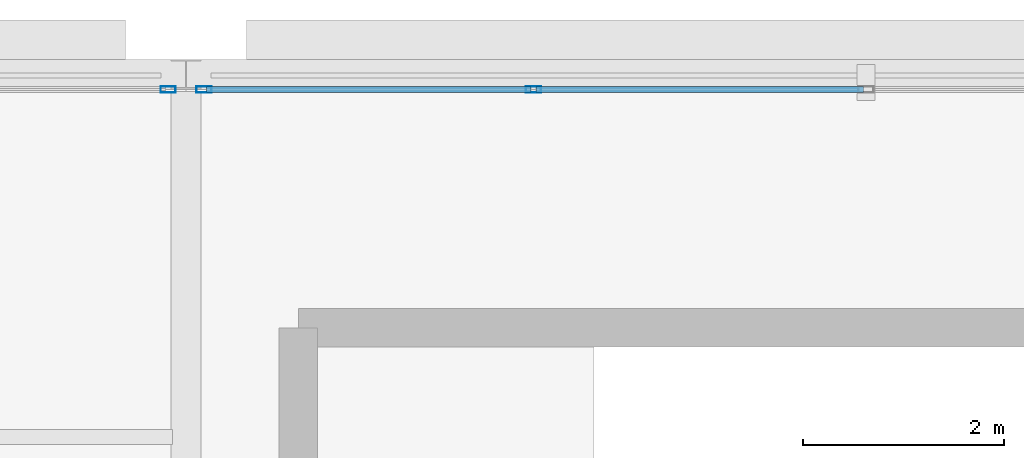
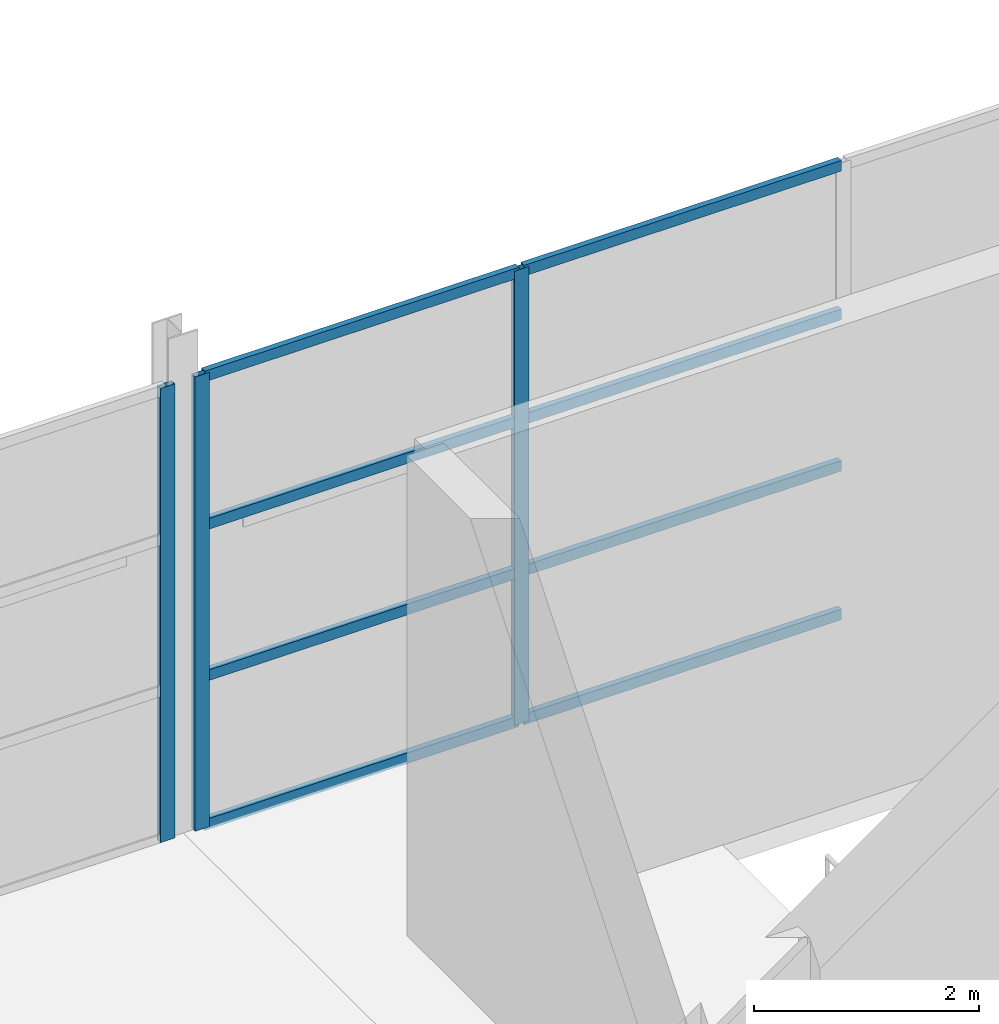
# One storey, part 27 of 34: 11 members, 2 elements without a shape of their own.
"""IFC4 building model written with IfcOpenShell, lengths in metres."""

from ifc_helpers import new_model, si_unit, direction, frame, origin, origin_2d, place, context, subcontext, project, spatial, hollow_rectangle, extrude, material, layer, layer_set, material_profile, profile_set, type_object, element, aggregate, save


model = new_model("IFC4")

# Units and contexts
model_context = context("Model", 3, precision=1e-05, world=origin(), true_north=direction((0.0, 1.0)))
body_context = subcontext(model_context, "Body", "Model", "MODEL_VIEW")
ifc_project = project(units=[si_unit("LENGTHUNIT", "METRE"), si_unit("AREAUNIT", "SQUARE_METRE"), si_unit("VOLUMEUNIT", "CUBIC_METRE"), si_unit("PLANEANGLEUNIT", "RADIAN"), si_unit("MASSUNIT", "GRAM", prefix="KILO")], contexts=[model_context])

# Site, building, storey
site_placement = place(None, origin())
site = spatial("IfcSite", under=ifc_project, at=site_placement, CompositionType="ELEMENT")
building_placement = place(site_placement, origin())
building = spatial("IfcBuilding", under=site, at=building_placement, Name="Tamarisk Ironworks Central Station", CompositionType="ELEMENT")
storey_placement = place(building_placement, frame((0.0, 0.0, 25.199951171875)))
storey = spatial("IfcBuildingStorey", under=building, at=storey_placement, Name="L05", CompositionType="ELEMENT", Elevation=25.199951171875)

# Curtain wall, member
ifc_material = material(Name="Anodized aluminium alloy 6063-T6", Category="aluminium")
ifc_layer = layer(ifc_material, 0.179931640625)
ifc_layer_set = layer_set([ifc_layer], Name="Anodized aluminium alloy 6063-T6")
curtain_wall_type = type_object("IfcCurtainWallType", Name="CW-20", PredefinedType="USERDEFINED", material=ifc_layer_set)
curtain_wall_1_placement = place(storey_placement, origin())
curtain_wall_1 = element("IfcCurtainWall", 1, at=curtain_wall_1_placement, inside=storey, type_object=curtain_wall_type, Name="Operations L05 north facade curtain wall 153", ObjectType="GLAZED CURTAIN WALL", PredefinedType="USERDEFINED")
ifc_material_profile_1 = material_profile(ifc_material, hollow_rectangle(XDim=0.06005859375, YDim=0.14990234375, WallThickness=0.00341796875, at=origin_2d()), Name="ALUM 150x60")
ifc_profile_set_1 = profile_set([ifc_material_profile_1], Name="Anodized aluminium alloy 6063-T6")
member_type_1 = type_object("IfcMemberType", Name="CWM-03", PredefinedType="MULLION", material=ifc_profile_set_1)
member_1_placement = place(storey_placement, frame((166.322021484375, 122.25, 0.0), z_axis=(0.0, 0.0, 1.0), x_axis=(0.0, 1.0, 0.0)))
member_1 = element("IfcMember", 2, at=member_1_placement, type_object=member_type_1, Name="CW20 mullion 5", PredefinedType="MULLION", context=body_context, shape_type="SweptSolid", body=[
    extrude(hollow_rectangle(XDim=0.06005859375, YDim=0.14990234375, WallThickness=0.00341796875, at=origin_2d()), origin(), (0.0, 0.0, 1.0), 4.920166015625),
])
aggregate(curtain_wall_1, [member_1])

# Curtain wall, members
curtain_wall_2_placement = place(storey_placement, origin())
curtain_wall_2 = element("IfcCurtainWall", 3, at=curtain_wall_2_placement, inside=storey, type_object=curtain_wall_type, Name="Operations L05 north facade curtain wall 166", ObjectType="GLAZED CURTAIN WALL", PredefinedType="USERDEFINED")
member_2_placement = place(storey_placement, frame((166.677978515625, 122.25, 0.0), z_axis=(0.0, 0.0, 1.0), x_axis=(0.0, 1.0, 0.0)))
member_2 = element("IfcMember", 4, at=member_2_placement, type_object=member_type_1, Name="CW20 mullion 1", PredefinedType="MULLION", context=body_context, shape_type="SweptSolid", body=[
    extrude(hollow_rectangle(XDim=0.06005859375, YDim=0.14990234375, WallThickness=0.00341796875, at=origin_2d()), origin(), (0.0, 0.0, 1.0), 4.920166015625),
])
member_3_placement = place(storey_placement, frame((169.948974609375, 122.25, 0.0), z_axis=(0.0, 0.0, 1.0), x_axis=(0.0, 1.0, 0.0)))
member_3 = element("IfcMember", 5, at=member_3_placement, type_object=member_type_1, Name="CW20 mullion 2", PredefinedType="MULLION", context=body_context, shape_type="SweptSolid", body=[
    extrude(hollow_rectangle(XDim=0.06005859375, YDim=0.14990234375, WallThickness=0.00341796875, at=origin_2d()), origin(), (0.0, 0.0, 1.0), 4.920166015625),
])
ifc_material_profile_2 = material_profile(ifc_material, hollow_rectangle(XDim=0.06005859375, YDim=0.114990234375, WallThickness=0.00341796875, at=origin_2d()), Name="ALUM 115x60")
ifc_profile_set_2 = profile_set([ifc_material_profile_2], Name="Anodized aluminium alloy 6063-T6")
member_type_2 = type_object("IfcMemberType", Name="CWT-03", PredefinedType="USERDEFINED", material=ifc_profile_set_2)
member_4_placement = place(storey_placement, frame((166.7041015625, 122.25, 0.030029296875), z_axis=(1.0, 0.0, 0.0), x_axis=(0.0, 1.0, 0.0)))
member_4 = element("IfcMember", 6, at=member_4_placement, type_object=member_type_2, Name="CW20 transom 1.1", ObjectType="TRANSOM", PredefinedType="USERDEFINED", context=body_context, shape_type="SweptSolid", body=[
    extrude(hollow_rectangle(XDim=0.06005859375, YDim=0.114990234375, WallThickness=0.00341796875, at=origin_2d()), origin(), (0.0, 0.0, 1.0), 3.218994140625),
])
member_5_placement = place(storey_placement, frame((166.7041015625, 122.25, 1.64013671875), z_axis=(1.0, 0.0, 0.0), x_axis=(0.0, 1.0, 0.0)))
member_5 = element("IfcMember", 7, at=member_5_placement, type_object=member_type_2, Name="CW20 transom 1.2", ObjectType="TRANSOM", PredefinedType="USERDEFINED", context=body_context, shape_type="SweptSolid", body=[
    extrude(hollow_rectangle(XDim=0.06005859375, YDim=0.114990234375, WallThickness=0.00341796875, at=origin_2d()), origin(), (0.0, 0.0, 1.0), 3.218994140625),
])
member_6_placement = place(storey_placement, frame((166.7041015625, 122.25, 3.280029296875), z_axis=(1.0, 0.0, 0.0), x_axis=(0.0, 1.0, 0.0)))
member_6 = element("IfcMember", 8, at=member_6_placement, type_object=member_type_2, Name="CW20 transom 1.3", ObjectType="TRANSOM", PredefinedType="USERDEFINED", context=body_context, shape_type="SweptSolid", body=[
    extrude(hollow_rectangle(XDim=0.06005859375, YDim=0.114990234375, WallThickness=0.00341796875, at=origin_2d()), origin(), (0.0, 0.0, 1.0), 3.218994140625),
])
member_7_placement = place(storey_placement, frame((166.7041015625, 122.25, 4.89013671875), z_axis=(1.0, 0.0, 0.0), x_axis=(0.0, 1.0, 0.0)))
member_7 = element("IfcMember", 9, at=member_7_placement, type_object=member_type_2, Name="CW20 transom 1.4", ObjectType="TRANSOM", PredefinedType="USERDEFINED", context=body_context, shape_type="SweptSolid", body=[
    extrude(hollow_rectangle(XDim=0.06005859375, YDim=0.114990234375, WallThickness=0.00341796875, at=origin_2d()), origin(), (0.0, 0.0, 1.0), 3.218994140625),
])
member_8_placement = place(storey_placement, frame((169.97509765625, 122.25, 0.030029296875), z_axis=(1.0, 0.0, 0.0), x_axis=(0.0, 1.0, 0.0)))
member_8 = element("IfcMember", 10, at=member_8_placement, type_object=member_type_2, Name="CW20 transom 2.1", ObjectType="TRANSOM", PredefinedType="USERDEFINED", context=body_context, shape_type="SweptSolid", body=[
    extrude(hollow_rectangle(XDim=0.06005859375, YDim=0.114990234375, WallThickness=0.00341796875, at=origin_2d()), origin(), (0.0, 0.0, 1.0), 3.2490234375),
])
member_9_placement = place(storey_placement, frame((169.97509765625, 122.25, 1.64013671875), z_axis=(1.0, 0.0, 0.0), x_axis=(0.0, 1.0, 0.0)))
member_9 = element("IfcMember", 11, at=member_9_placement, type_object=member_type_2, Name="CW20 transom 2.2", ObjectType="TRANSOM", PredefinedType="USERDEFINED", context=body_context, shape_type="SweptSolid", body=[
    extrude(hollow_rectangle(XDim=0.06005859375, YDim=0.114990234375, WallThickness=0.00341796875, at=origin_2d()), origin(), (0.0, 0.0, 1.0), 3.2490234375),
])
member_10_placement = place(storey_placement, frame((169.97509765625, 122.25, 3.280029296875), z_axis=(1.0, 0.0, 0.0), x_axis=(0.0, 1.0, 0.0)))
member_10 = element("IfcMember", 12, at=member_10_placement, type_object=member_type_2, Name="CW20 transom 2.3", ObjectType="TRANSOM", PredefinedType="USERDEFINED", context=body_context, shape_type="SweptSolid", body=[
    extrude(hollow_rectangle(XDim=0.06005859375, YDim=0.114990234375, WallThickness=0.00341796875, at=origin_2d()), origin(), (0.0, 0.0, 1.0), 3.2490234375),
])
member_11_placement = place(storey_placement, frame((169.97509765625, 122.25, 4.89013671875), z_axis=(1.0, 0.0, 0.0), x_axis=(0.0, 1.0, 0.0)))
member_11 = element("IfcMember", 13, at=member_11_placement, type_object=member_type_2, Name="CW20 transom 2.4", ObjectType="TRANSOM", PredefinedType="USERDEFINED", context=body_context, shape_type="SweptSolid", body=[
    extrude(hollow_rectangle(XDim=0.06005859375, YDim=0.114990234375, WallThickness=0.00341796875, at=origin_2d()), origin(), (0.0, 0.0, 1.0), 3.2490234375),
])
aggregate(curtain_wall_2, [member_2, member_3, member_4, member_5, member_6, member_7, member_8, member_9, member_10, member_11])

save(model, "model.ifc")
